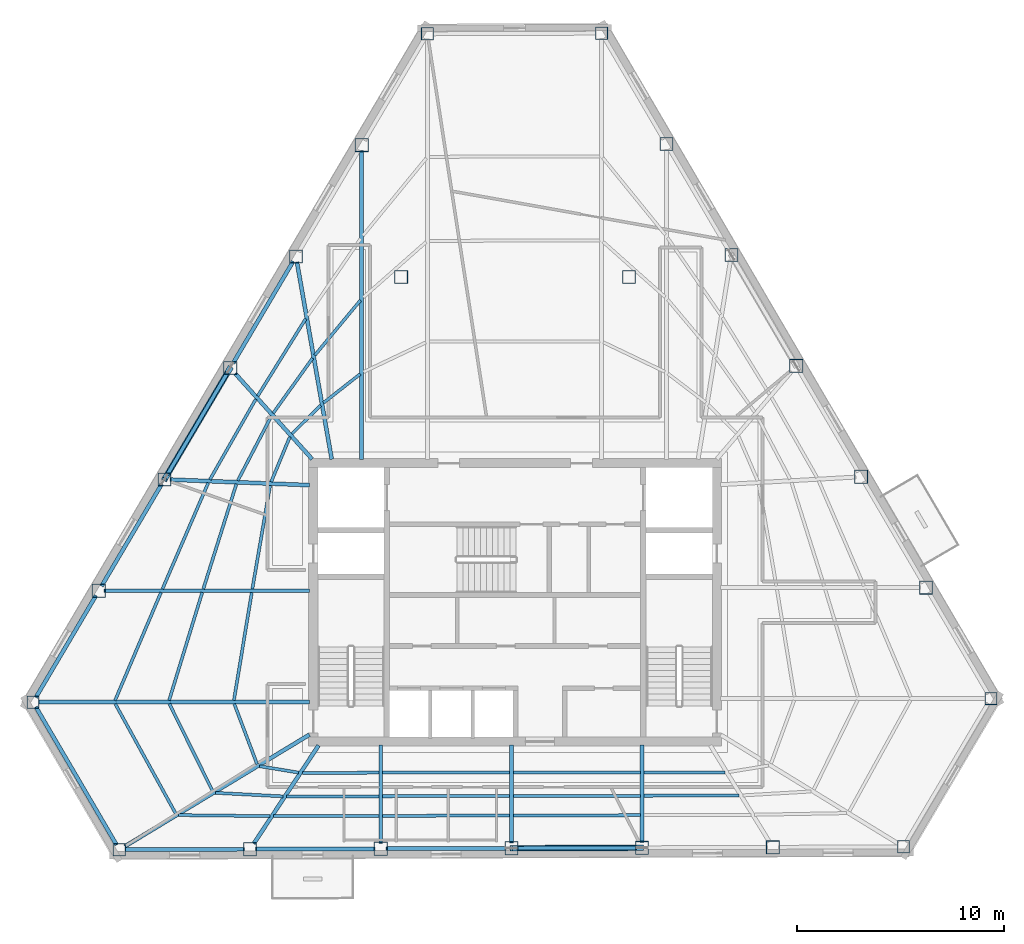
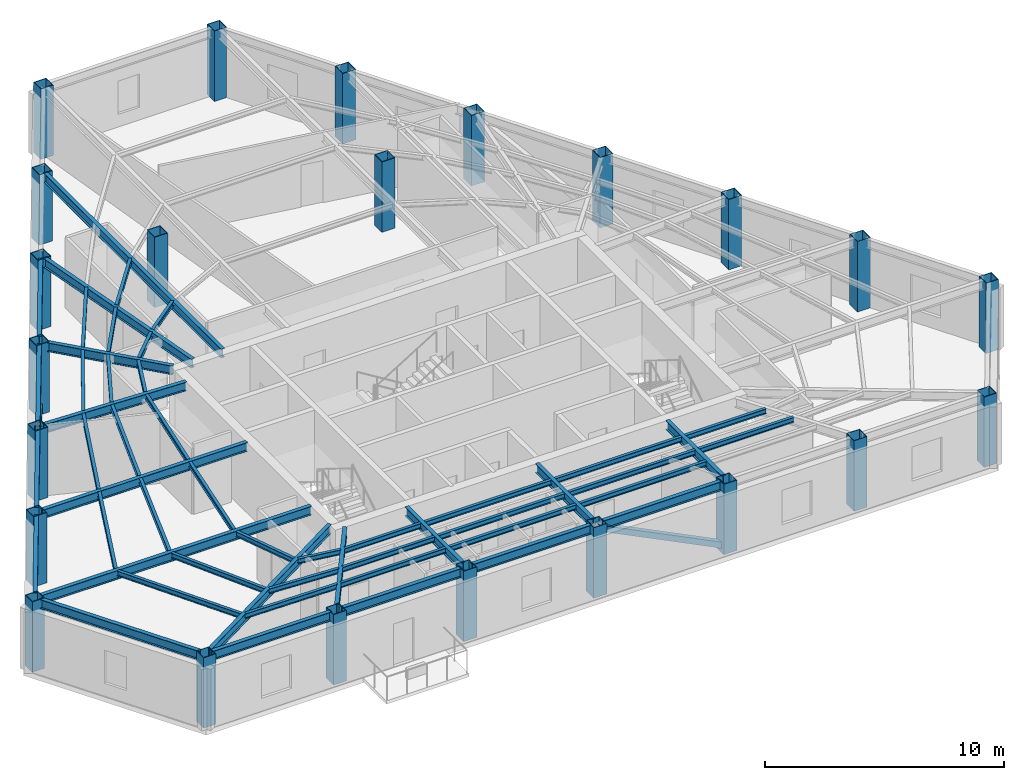
# One storey, part 1 of 9: 51 beams, 23 columns, 2 members.
"""IFC4 building model written with IfcOpenShell, lengths in metres."""

from ifc_helpers import new_model, si_unit, direction, frame, origin, origin_2d, place, context, subcontext, project, spatial, hollow_rectangle, i_section, extrude, material, material_profile, profile_set, type_object, element, save


model = new_model("IFC4")

# Units and contexts
model_context = context("Model", 3, precision=1e-05, world=origin(), true_north=direction((0.0, 1.0)))
body_context = subcontext(model_context, "Body", "Model", "MODEL_VIEW")
ifc_project = project(units=[si_unit("LENGTHUNIT", "METRE"), si_unit("AREAUNIT", "SQUARE_METRE"), si_unit("VOLUMEUNIT", "CUBIC_METRE"), si_unit("PLANEANGLEUNIT", "RADIAN"), si_unit("MASSUNIT", "GRAM", prefix="KILO")], contexts=[model_context])

# Site, building, storey
site_placement = place(None, origin())
site = spatial("IfcSite", under=ifc_project, at=site_placement, CompositionType="ELEMENT")
building_placement = place(site_placement, origin())
building = spatial("IfcBuilding", under=site, at=building_placement, Name="Kavelnor Concourse Tower", CompositionType="ELEMENT")
storey_placement = place(building_placement, frame((0.0, 0.0, 207.35009765625)))
storey = spatial("IfcBuildingStorey", under=building, at=storey_placement, Name="L52", CompositionType="ELEMENT", Elevation=207.35009765625)

# Columns
ifc_material = material(Name="Steel Grade 350", Category="steel")
ifc_material_profile_1 = material_profile(ifc_material, hollow_rectangle(XDim=0.60009765625, YDim=0.60009765625, WallThickness=0.028076171875, at=origin_2d()), Name="SHS 600x600x28")
ifc_profile_set_1 = profile_set([ifc_material_profile_1], Name="Steel Grade 350")
column_type_1 = type_object("IfcColumnType", Name="COL-FOLD-Z3", PredefinedType="COLUMN", material=ifc_profile_set_1)
for number, where, z_axis, x_axis, name in (
    (1, (33.769287109375, 43.535400390625, 0.0), (0.0, 0.0, 1.0), (1.0, 0.0, 0.0), "L52 Perimeter Corner-Fold Column F0-B0"),
    (2, (14.7333984375, 11.2783203125, 0.0), (0.0, 0.0, 1.0), (1.0, 0.0, 0.0), "L52 Perimeter Corner-Fold Column F0-B6"),
    (3, (18.900390625, 4.157958984375, 0.0), (0.0, 0.0, 1.0), (1.0, 0.0, 0.0), "L52 Perimeter Corner-Fold Column F1-B0"),
    (4, (56.744384765625, 4.295654296875, 0.0), (0.0, 0.0, 1.0), (1.0, 0.0, 0.0), "L52 Perimeter Corner-Fold Column F1-B6"),
    (5, (60.968017578125, 11.45263671875, 0.0), (0.0, 0.0, 1.0), (1.0, 0.0, 0.0), "L52 Perimeter Corner-Fold Column F2-B0"),
    (6, (42.17431640625, 43.56591796875, 0.0), (0.0, 0.0, 1.0), (1.0, 0.0, 0.0), "L52 Perimeter Corner-Fold Column F2-B6"),
):
    element("IfcColumn", number, at=place(storey_placement, frame(where, z_axis=z_axis, x_axis=x_axis)), inside=storey, type_object=column_type_1, Name=name, PredefinedType="COLUMN", context=body_context, shape_type="SweptSolid", body=[
        extrude(hollow_rectangle(XDim=0.60009765625, YDim=0.60009765625, WallThickness=0.028076171875, at=origin_2d()), origin(), (0.0, 0.0, 1.0), 3.599853515625),
    ])
ifc_material_profile_2 = material_profile(ifc_material, hollow_rectangle(XDim=0.639892578125, YDim=0.639892578125, WallThickness=0.028076171875, at=origin_2d()), Name="SHS 640x640x28")
ifc_profile_set_2 = profile_set([ifc_material_profile_2], Name="Steel Grade 350")
column_type_2 = type_object("IfcColumnType", Name="COL-TUBE-Z3", PredefinedType="COLUMN", material=ifc_profile_set_2)
for number, where, z_axis, x_axis, name in (
    (7, (30.5966796875, 38.1591796875, 0.0), (0.0, 0.0, 1.0), (1.0, 0.0, 0.0), "L52 Perimeter Framed-Tube Column F0-B1"),
    (8, (27.424072265625, 32.782958984375, 0.0), (0.0, 0.0, 1.0), (1.0, 0.0, 0.0), "L52 Perimeter Framed-Tube Column F0-B2"),
    (9, (24.251220703125, 27.40673828125, 0.0), (0.0, 0.0, 1.0), (1.0, 0.0, 0.0), "L52 Perimeter Framed-Tube Column F0-B3"),
    (10, (21.07861328125, 22.030517578125, 0.0), (0.0, 0.0, 1.0), (1.0, 0.0, 0.0), "L52 Perimeter Framed-Tube Column F0-B4"),
    (11, (17.906005859375, 16.654296875, 0.0), (0.0, 0.0, 1.0), (1.0, 0.0, 0.0), "L52 Perimeter Framed-Tube Column F0-B5"),
    (12, (25.207763671875, 4.180908203125, 0.0), (0.0, 0.0, 1.0), (1.0, 0.0, 0.0), "L52 Perimeter Framed-Tube Column F1-B1"),
    (13, (31.51513671875, 4.203857421875, 0.0), (0.0, 0.0, 1.0), (1.0, 0.0, 0.0), "L52 Perimeter Framed-Tube Column F1-B2"),
    (14, (37.822509765625, 4.226806640625, 0.0), (0.0, 0.0, 1.0), (1.0, 0.0, 0.0), "L52 Perimeter Framed-Tube Column F1-B3"),
    (15, (44.1298828125, 4.249755859375, 0.0), (0.0, 0.0, 1.0), (1.0, 0.0, 0.0), "L52 Perimeter Framed-Tube Column F1-B4"),
    (16, (50.437255859375, 4.272705078125, 0.0), (0.0, 0.0, 1.0), (1.0, 0.0, 0.0), "L52 Perimeter Framed-Tube Column F1-B5"),
    (17, (57.835693359375, 16.8046875, 0.0), (0.0, 0.0, 1.0), (1.0, 0.0, 0.0), "L52 Perimeter Framed-Tube Column F2-B1"),
    (18, (54.70361328125, 22.156982421875, 0.0), (0.0, 0.0, 1.0), (1.0, 0.0, 0.0), "L52 Perimeter Framed-Tube Column F2-B2"),
    (19, (51.5712890625, 27.50927734375, 0.0), (0.0, 0.0, 1.0), (1.0, 0.0, 0.0), "L52 Perimeter Framed-Tube Column F2-B3"),
    (20, (48.43896484375, 32.861572265625, 0.0), (0.0, 0.0, 1.0), (1.0, 0.0, 0.0), "L52 Perimeter Framed-Tube Column F2-B4"),
    (21, (45.306640625, 38.213623046875, 0.0), (0.0, 0.0, 1.0), (1.0, 0.0, 0.0), "L52 Perimeter Framed-Tube Column F2-B5"),
    (22, (32.5, 31.800048828125, 0.0), (0.0, 0.0, 1.0), (1.0, 0.0, 0.0), "L52 North Interior Gravity Column BC-NW"),
    (23, (43.5, 31.800048828125, 0.0), (0.0, 0.0, 1.0), (1.0, 0.0, 0.0), "L52 North Interior Gravity Column BC-NE"),
):
    element("IfcColumn", number, at=place(storey_placement, frame(where, z_axis=z_axis, x_axis=x_axis)), inside=storey, type_object=column_type_2, Name=name, PredefinedType="COLUMN", context=body_context, shape_type="SweptSolid", body=[
        extrude(hollow_rectangle(XDim=0.639892578125, YDim=0.639892578125, WallThickness=0.028076171875, at=origin_2d()), origin(), (0.0, 0.0, 1.0), 3.599853515625),
    ])

# Beams
ifc_material_profile_3 = material_profile(ifc_material, i_section(OverallWidth=0.14599609375, OverallDepth=0.256103515625, WebThickness=0.00634765625, FlangeThickness=0.010986328125, at=origin_2d()), Name="250UB37")
ifc_profile_set_3 = profile_set([ifc_material_profile_3], Name="Steel Grade 350")
beam_type_1 = type_object("IfcBeamType", Name="BM-JOIST-250", PredefinedType="JOIST", material=ifc_profile_set_3)
beam_1_placement = place(storey_placement, frame((24.447265625, 11.195068359375, 3.471923828125), z_axis=(0.353812359842, -0.935316424545, 0.0), x_axis=(0.935316424545, 0.353812359842, 0.0)))
element("IfcBeam", 24, at=beam_1_placement, inside=storey, type_object=beam_type_1, Name="L52 Secondary Composite Joist 01-1", PredefinedType="JOIST", context=body_context, shape_type="SweptSolid", body=[
    extrude(i_section(OverallWidth=0.14599609375, OverallDepth=0.256103515625, WebThickness=0.00634765625, FlangeThickness=0.010986328125, at=origin_2d()), origin(), (0.0, 0.0, 1.0), 3.11279296875),
])
beam_2_placement = place(storey_placement, frame((21.314453125, 11.198486328125, 3.471923828125), z_axis=(0.444136839635, -0.895958965399, 0.0), x_axis=(0.895958965399, 0.444136839635, 0.0)))
element("IfcBeam", 25, at=beam_2_placement, inside=storey, type_object=beam_type_1, Name="L52 Secondary Composite Joist 01-2", PredefinedType="JOIST", context=body_context, shape_type="SweptSolid", body=[
    extrude(i_section(OverallWidth=0.14599609375, OverallDepth=0.256103515625, WebThickness=0.00634765625, FlangeThickness=0.010986328125, at=origin_2d()), origin(), (0.0, 0.0, 1.0), 4.70166015625),
])
beam_3_placement = place(storey_placement, frame((18.70068359375, 11.2001953125, 3.471923828125), z_axis=(0.482594636446, -0.875843831327, 0.0), x_axis=(0.875843831327, 0.482594636446, 0.0)))
element("IfcBeam", 26, at=beam_3_placement, inside=storey, type_object=beam_type_1, Name="L52 Secondary Composite Joist 01-3", PredefinedType="JOIST", context=body_context, shape_type="SweptSolid", body=[
    extrude(i_section(OverallWidth=0.14599609375, OverallDepth=0.256103515625, WebThickness=0.00634765625, FlangeThickness=0.010986328125, at=origin_2d()), origin(), (0.0, 0.0, 1.0), 6.04443359375),
])
beam_4_placement = place(storey_placement, frame((25.667724609375, 8.18603515625, 3.471923828125), z_axis=(0.986975179291, -0.160872606316, 0.0), x_axis=(0.160872606316, 0.986975179291, 0.0)))
element("IfcBeam", 27, at=beam_4_placement, inside=storey, type_object=beam_type_1, Name="L52 Secondary Composite Joist 02-1", PredefinedType="JOIST", context=body_context, shape_type="SweptSolid", body=[
    extrude(i_section(OverallWidth=0.14599609375, OverallDepth=0.256103515625, WebThickness=0.00634765625, FlangeThickness=0.010986328125, at=origin_2d()), origin(), (0.0, 0.0, 1.0), 1.9091796875),
])
beam_5_placement = place(storey_placement, frame((23.531005859375, 6.90185546875, 3.471923828125), z_axis=(0.998623799288, -0.052445280958, 0.0), x_axis=(0.052445280958, 0.998623799288, 0.0)))
element("IfcBeam", 28, at=beam_5_placement, inside=storey, type_object=beam_type_1, Name="L52 Secondary Composite Joist 02-2", PredefinedType="JOIST", context=body_context, shape_type="SweptSolid", body=[
    extrude(i_section(OverallWidth=0.14599609375, OverallDepth=0.256103515625, WebThickness=0.00634765625, FlangeThickness=0.010986328125, at=origin_2d()), origin(), (0.0, 0.0, 1.0), 3.2724609375),
])
beam_6_placement = place(storey_placement, frame((21.74951171875, 5.827392578125, 3.471923828125), z_axis=(0.999935973562, -0.011315863902, 0.0), x_axis=(0.011315863902, 0.999935973562, 0.0)))
element("IfcBeam", 29, at=beam_6_placement, inside=storey, type_object=beam_type_1, Name="L52 Secondary Composite Joist 02-3", PredefinedType="JOIST", context=body_context, shape_type="SweptSolid", body=[
    extrude(i_section(OverallWidth=0.14599609375, OverallDepth=0.256103515625, WebThickness=0.00634765625, FlangeThickness=0.010986328125, at=origin_2d()), origin(), (0.0, 0.0, 1.0), 4.4228515625),
])
beam_7_placement = place(storey_placement, frame((27.72900390625, 7.86474609375, 3.471923828125), z_axis=(0.999997015371, 0.002443204541, 0.0), x_axis=(-0.002443204541, 0.999997015371, 0.0)))
element("IfcBeam", 30, at=beam_7_placement, inside=storey, type_object=beam_type_1, Name="L52 Secondary Composite Joist 03-1", PredefinedType="JOIST", context=body_context, shape_type="SweptSolid", body=[
    extrude(i_section(OverallWidth=0.14599609375, OverallDepth=0.256103515625, WebThickness=0.00634765625, FlangeThickness=0.010986328125, at=origin_2d()), origin(), (0.0, 0.0, 1.0), 3.697265625),
])
beam_8_placement = place(storey_placement, frame((26.976806640625, 6.725830078125, 3.471923828125), z_axis=(0.999996814713, 0.002523997447, 0.0), x_axis=(-0.002523997447, 0.999996814713, 0.0)))
element("IfcBeam", 31, at=beam_8_placement, inside=storey, type_object=beam_type_1, Name="L52 Secondary Composite Joist 03-2", PredefinedType="JOIST", context=body_context, shape_type="SweptSolid", body=[
    extrude(i_section(OverallWidth=0.14599609375, OverallDepth=0.256103515625, WebThickness=0.00634765625, FlangeThickness=0.010986328125, at=origin_2d()), origin(), (0.0, 0.0, 1.0), 4.449462890625),
])
beam_9_placement = place(storey_placement, frame((26.35009765625, 5.776611328125, 3.471923828125), z_axis=(0.999996627416, 0.002597143992, 0.0), x_axis=(-0.002597143992, 0.999996627416, 0.0)))
element("IfcBeam", 32, at=beam_9_placement, inside=storey, type_object=beam_type_1, Name="L52 Secondary Composite Joist 03-3", PredefinedType="JOIST", context=body_context, shape_type="SweptSolid", body=[
    extrude(i_section(OverallWidth=0.14599609375, OverallDepth=0.256103515625, WebThickness=0.00634765625, FlangeThickness=0.010986328125, at=origin_2d()), origin(), (0.0, 0.0, 1.0), 5.076171875),
])
for number, where, z_axis, x_axis, name in (
    (33, (31.604248046875, 7.8740234375, 3.471923828125), (0.999999504174, 0.000995817072, 0.0), (-0.000995817072, 0.999999504174, 0.0), "L52 Secondary Composite Joist 04-1"),
    (34, (31.604248046875, 6.7373046875, 3.471923828125), (0.999998172191, 0.001911966232, 0.0), (-0.001911966232, 0.999998172191, 0.0), "L52 Secondary Composite Joist 04-2"),
    (35, (31.604248046875, 5.790283203125, 3.471923828125), (0.999996544307, 0.00262894929, 0.0), (-0.00262894929, 0.999996544307, 0.0), "L52 Secondary Composite Joist 04-3"),
    (36, (37.91162109375, 7.88037109375, 3.471923828125), (0.999999463715, 0.001035649713, 0.0), (-0.001035649713, 0.999999463715, 0.0), "L52 Secondary Composite Joist 05-1"),
    (37, (37.91162109375, 6.74951171875, 3.471923828125), (0.999998247556, 0.001872133744, 0.0), (-0.001872133744, 0.999998247556, 0.0), "L52 Secondary Composite Joist 05-2"),
    (38, (37.91162109375, 5.806884765625, 3.471923828125), (0.999996648231, 0.002589116994, 0.0), (-0.002589116994, 0.999996648231, 0.0), "L52 Secondary Composite Joist 05-3"),
):
    element("IfcBeam", number, at=place(storey_placement, frame(where, z_axis=z_axis, x_axis=x_axis)), inside=storey, type_object=beam_type_1, Name=name, PredefinedType="JOIST", context=body_context, shape_type="SweptSolid", body=[
        extrude(i_section(OverallWidth=0.14599609375, OverallDepth=0.256103515625, WebThickness=0.00634765625, FlangeThickness=0.010986328125, at=origin_2d()), origin(), (0.0, 0.0, 1.0), 6.129150390625),
    ])
beam_10_placement = place(storey_placement, frame((44.21875, 7.88671875, 3.471923828125), z_axis=(0.999999561808, 0.000936153868, 0.0), x_axis=(-0.000936153868, 0.999999561808, 0.0)))
element("IfcBeam", 39, at=beam_10_placement, inside=storey, type_object=beam_type_1, Name="L52 Secondary Composite Joist 06-1", PredefinedType="JOIST", context=body_context, shape_type="SweptSolid", body=[
    extrude(i_section(OverallWidth=0.14599609375, OverallDepth=0.256103515625, WebThickness=0.00634765625, FlangeThickness=0.010986328125, at=origin_2d()), origin(), (0.0, 0.0, 1.0), 3.911865234375),
])
beam_11_placement = place(storey_placement, frame((44.21875, 6.76123046875, 3.471923828125), z_axis=(0.999996613496, 0.002602498091, 0.0), x_axis=(-0.002602498091, 0.999996613496, 0.0)))
element("IfcBeam", 40, at=beam_11_placement, inside=storey, type_object=beam_type_1, Name="L52 Secondary Composite Joist 06-2", PredefinedType="JOIST", context=body_context, shape_type="SweptSolid", body=[
    extrude(i_section(OverallWidth=0.14599609375, OverallDepth=0.256103515625, WebThickness=0.00634765625, FlangeThickness=0.010986328125, at=origin_2d()), origin(), (0.0, 0.0, 1.0), 4.5966796875),
])
beam_12_placement = place(storey_placement, frame((30.526611328125, 27.11669921875, 3.471923828125), z_axis=(-0.78650957483, -0.61757808308, 0.0), x_axis=(0.61757808308, -0.78650957483, 0.0)))
element("IfcBeam", 41, at=beam_12_placement, inside=storey, type_object=beam_type_1, Name="L52 Secondary Composite Joist 17-1", PredefinedType="JOIST", context=body_context, shape_type="SweptSolid", body=[
    extrude(i_section(OverallWidth=0.14599609375, OverallDepth=0.256103515625, WebThickness=0.00634765625, FlangeThickness=0.010986328125, at=origin_2d()), origin(), (0.0, 0.0, 1.0), 2.2587890625),
])
beam_13_placement = place(storey_placement, frame((30.539794921875, 30.678955078125, 3.471923828125), z_axis=(-0.638633019137, -0.769511446872, 0.0), x_axis=(0.769511446872, -0.638633019137, 0.0)))
element("IfcBeam", 42, at=beam_13_placement, inside=storey, type_object=beam_type_1, Name="L52 Secondary Composite Joist 17-2", PredefinedType="JOIST", context=body_context, shape_type="SweptSolid", body=[
    extrude(i_section(OverallWidth=0.14599609375, OverallDepth=0.256103515625, WebThickness=0.00634765625, FlangeThickness=0.010986328125, at=origin_2d()), origin(), (0.0, 0.0, 1.0), 3.454833984375),
])
beam_14_placement = place(storey_placement, frame((28.61669921875, 25.60400390625, 3.471923828125), z_axis=(-0.71059429698, -0.703601979175, 0.0), x_axis=(0.703601979175, -0.71059429698, 0.0)))
element("IfcBeam", 43, at=beam_14_placement, inside=storey, type_object=beam_type_1, Name="L52 Secondary Composite Joist 18-1", PredefinedType="JOIST", context=body_context, shape_type="SweptSolid", body=[
    extrude(i_section(OverallWidth=0.14599609375, OverallDepth=0.256103515625, WebThickness=0.00634765625, FlangeThickness=0.010986328125, at=origin_2d()), origin(), (0.0, 0.0, 1.0), 1.955322265625),
])
beam_15_placement = place(storey_placement, frame((28.224853515625, 27.87939453125, 3.471923828125), z_axis=(-0.582307060316, -0.812968933912, 0.0), x_axis=(0.812968933912, -0.582307060316, 0.0)))
element("IfcBeam", 44, at=beam_15_placement, inside=storey, type_object=beam_type_1, Name="L52 Secondary Composite Joist 18-2", PredefinedType="JOIST", context=body_context, shape_type="SweptSolid", body=[
    extrude(i_section(OverallWidth=0.14599609375, OverallDepth=0.256103515625, WebThickness=0.00634765625, FlangeThickness=0.010986328125, at=origin_2d()), origin(), (0.0, 0.0, 1.0), 3.260986328125),
])
beam_16_placement = place(storey_placement, frame((27.8935546875, 29.780517578125, 3.471923828125), z_axis=(-0.527789735374, -0.84937506158, 0.0), x_axis=(0.84937506158, -0.527789735374, 0.0)))
element("IfcBeam", 45, at=beam_16_placement, inside=storey, type_object=beam_type_1, Name="L52 Secondary Composite Joist 18-3", PredefinedType="JOIST", context=body_context, shape_type="SweptSolid", body=[
    extrude(i_section(OverallWidth=0.14599609375, OverallDepth=0.256103515625, WebThickness=0.00634765625, FlangeThickness=0.010986328125, at=origin_2d()), origin(), (0.0, 0.0, 1.0), 4.38427734375),
])
beam_17_placement = place(storey_placement, frame((27.1298828125, 24.08349609375, 3.471923828125), z_axis=(-0.383658026846, -0.923475239753, 0.0), x_axis=(0.923475239753, -0.383658026846, 0.0)))
element("IfcBeam", 46, at=beam_17_placement, inside=storey, type_object=beam_type_1, Name="L52 Secondary Composite Joist 19-1", PredefinedType="JOIST", context=body_context, shape_type="SweptSolid", body=[
    extrude(i_section(OverallWidth=0.14599609375, OverallDepth=0.256103515625, WebThickness=0.00634765625, FlangeThickness=0.010986328125, at=origin_2d()), origin(), (0.0, 0.0, 1.0), 2.3544921875),
])
beam_18_placement = place(storey_placement, frame((26.233154296875, 25.076904296875, 3.471923828125), z_axis=(-0.46184646192, -0.886959889517, 0.0), x_axis=(0.886959889517, -0.46184646192, 0.0)))
element("IfcBeam", 47, at=beam_18_placement, inside=storey, type_object=beam_type_1, Name="L52 Secondary Composite Joist 19-2", PredefinedType="JOIST", context=body_context, shape_type="SweptSolid", body=[
    extrude(i_section(OverallWidth=0.14599609375, OverallDepth=0.256103515625, WebThickness=0.00634765625, FlangeThickness=0.010986328125, at=origin_2d()), origin(), (0.0, 0.0, 1.0), 3.502685546875),
])
beam_19_placement = place(storey_placement, frame((25.48828125, 25.90380859375, 3.471923828125), z_axis=(-0.496091887624, -0.868270026567, 0.0), x_axis=(0.868270026567, -0.496091887624, 0.0)))
element("IfcBeam", 48, at=beam_19_placement, inside=storey, type_object=beam_type_1, Name="L52 Secondary Composite Joist 19-3", PredefinedType="JOIST", context=body_context, shape_type="SweptSolid", body=[
    extrude(i_section(OverallWidth=0.14599609375, OverallDepth=0.256103515625, WebThickness=0.00634765625, FlangeThickness=0.010986328125, at=origin_2d()), origin(), (0.0, 0.0, 1.0), 4.470458984375),
])
beam_20_placement = place(storey_placement, frame((26.177490234375, 21.7392578125, 3.471923828125), z_axis=(-0.1693005983, -0.985564461319, 0.0), x_axis=(0.985564461319, -0.1693005983, 0.0)))
element("IfcBeam", 49, at=beam_20_placement, inside=storey, type_object=beam_type_1, Name="L52 Secondary Composite Joist 20-1", PredefinedType="JOIST", context=body_context, shape_type="SweptSolid", body=[
    extrude(i_section(OverallWidth=0.14599609375, OverallDepth=0.256103515625, WebThickness=0.00634765625, FlangeThickness=0.010986328125, at=origin_2d()), origin(), (0.0, 0.0, 1.0), 5.0703125),
])
beam_21_placement = place(storey_placement, frame((24.5478515625, 21.806396484375, 3.471923828125), z_axis=(-0.300495695239, -0.953783170927, 0.0), x_axis=(0.953783170927, -0.300495695239, 0.0)))
element("IfcBeam", 50, at=beam_21_placement, inside=storey, type_object=beam_type_1, Name="L52 Secondary Composite Joist 20-2", PredefinedType="JOIST", context=body_context, shape_type="SweptSolid", body=[
    extrude(i_section(OverallWidth=0.14599609375, OverallDepth=0.256103515625, WebThickness=0.00634765625, FlangeThickness=0.010986328125, at=origin_2d()), origin(), (0.0, 0.0, 1.0), 5.312744140625),
])
beam_22_placement = place(storey_placement, frame((23.19091796875, 21.86328125, 3.471923828125), z_axis=(-0.396376559648, -0.918088025715, 0.0), x_axis=(0.918088025715, -0.396376559648, 0.0)))
element("IfcBeam", 51, at=beam_22_placement, inside=storey, type_object=beam_type_1, Name="L52 Secondary Composite Joist 20-3", PredefinedType="JOIST", context=body_context, shape_type="SweptSolid", body=[
    extrude(i_section(OverallWidth=0.14599609375, OverallDepth=0.256103515625, WebThickness=0.00634765625, FlangeThickness=0.010986328125, at=origin_2d()), origin(), (0.0, 0.0, 1.0), 5.584716796875),
])
beam_23_placement = place(storey_placement, frame((25.28955078125, 16.566650390625, 3.471923828125), z_axis=(-0.162986799861, -0.986628249682, 0.0), x_axis=(0.986628249682, -0.162986799861, 0.0)))
element("IfcBeam", 52, at=beam_23_placement, inside=storey, type_object=beam_type_1, Name="L52 Secondary Composite Joist 21-1", PredefinedType="JOIST", context=body_context, shape_type="SweptSolid", body=[
    extrude(i_section(OverallWidth=0.14599609375, OverallDepth=0.256103515625, WebThickness=0.00634765625, FlangeThickness=0.010986328125, at=origin_2d()), origin(), (0.0, 0.0, 1.0), 5.271240234375),
])
beam_24_placement = place(storey_placement, frame((22.898681640625, 16.5693359375, 3.471923828125), z_axis=(-0.293380090013, -0.955995880108, 0.0), x_axis=(0.955995880108, -0.293380090013, 0.0)))
element("IfcBeam", 53, at=beam_24_placement, inside=storey, type_object=beam_type_1, Name="L52 Secondary Composite Joist 21-2", PredefinedType="JOIST", context=body_context, shape_type="SweptSolid", body=[
    extrude(i_section(OverallWidth=0.14599609375, OverallDepth=0.256103515625, WebThickness=0.00634765625, FlangeThickness=0.010986328125, at=origin_2d()), origin(), (0.0, 0.0, 1.0), 5.44580078125),
])
beam_25_placement = place(storey_placement, frame((20.9072265625, 16.572509765625, 3.471923828125), z_axis=(-0.391076741732, -0.92035807275, 0.0), x_axis=(0.92035807275, -0.391076741732, 0.0)))
element("IfcBeam", 54, at=beam_25_placement, inside=storey, type_object=beam_type_1, Name="L52 Secondary Composite Joist 21-3", PredefinedType="JOIST", context=body_context, shape_type="SweptSolid", body=[
    extrude(i_section(OverallWidth=0.14599609375, OverallDepth=0.256103515625, WebThickness=0.00634765625, FlangeThickness=0.010986328125, at=origin_2d()), origin(), (0.0, 0.0, 1.0), 5.663330078125),
])
ifc_material_profile_4 = material_profile(ifc_material, i_section(OverallWidth=0.18994140625, OverallDepth=0.4541015625, WebThickness=0.008544921875, FlangeThickness=0.0126953125, at=origin_2d()), Name="460UB67")
ifc_profile_set_4 = profile_set([ifc_material_profile_4], Name="Steel Grade 350")
beam_type_2 = type_object("IfcBeamType", Name="BM-PRIMARY-460", PredefinedType="BEAM", material=ifc_profile_set_4)
beam_26_placement = place(storey_placement, frame((30.5966796875, 23.0, 3.372802734375), z_axis=(0.0, 1.0, 0.0), x_axis=(-1.0, 0.0, 0.0)))
element("IfcBeam", 55, at=beam_26_placement, inside=storey, type_object=beam_type_2, Name="L52 Primary Floor Girder F0-B1", PredefinedType="BEAM", context=body_context, shape_type="SweptSolid", body=[
    extrude(i_section(OverallWidth=0.18994140625, OverallDepth=0.4541015625, WebThickness=0.008544921875, FlangeThickness=0.0126953125, at=origin_2d()), origin(), (0.0, 0.0, 1.0), 14.899169921875),
])
beam_27_placement = place(storey_placement, frame((29.150390625, 23.00048828125, 3.372802734375), z_axis=(-0.173796857461, 0.984781525181, 0.0), x_axis=(-0.984781525181, -0.173796857461, 0.0)))
element("IfcBeam", 56, at=beam_27_placement, inside=storey, type_object=beam_type_2, Name="L52 Primary Floor Girder F0-B2", PredefinedType="BEAM", context=body_context, shape_type="SweptSolid", body=[
    extrude(i_section(OverallWidth=0.18994140625, OverallDepth=0.4541015625, WebThickness=0.008544921875, FlangeThickness=0.0126953125, at=origin_2d()), origin(), (0.0, 0.0, 1.0), 9.6689453125),
])
beam_28_placement = place(storey_placement, frame((28.202392578125, 23.01025390625, 3.372802734375), z_axis=(-0.668432091806, 0.743773176879, 0.0), x_axis=(-0.743773176879, -0.668432091806, 0.0)))
element("IfcBeam", 57, at=beam_28_placement, inside=storey, type_object=beam_type_2, Name="L52 Primary Floor Girder F0-B3", PredefinedType="BEAM", context=body_context, shape_type="SweptSolid", body=[
    extrude(i_section(OverallWidth=0.18994140625, OverallDepth=0.4541015625, WebThickness=0.008544921875, FlangeThickness=0.0126953125, at=origin_2d()), origin(), (0.0, 0.0, 1.0), 5.547607421875),
])
beam_29_placement = place(storey_placement, frame((28.080078125, 21.751708984375, 3.372802734375), z_axis=(-0.999207477378, 0.039804737809, 0.0), x_axis=(-0.039804737809, -0.999207477378, 0.0)))
element("IfcBeam", 58, at=beam_29_placement, inside=storey, type_object=beam_type_2, Name="L52 Primary Floor Girder F0-B4", PredefinedType="BEAM", context=body_context, shape_type="SweptSolid", body=[
    extrude(i_section(OverallWidth=0.18994140625, OverallDepth=0.4541015625, WebThickness=0.008544921875, FlangeThickness=0.0126953125, at=origin_2d()), origin(), (0.0, 0.0, 1.0), 6.746826171875),
])
beam_30_placement = place(storey_placement, frame((28.080078125, 16.654296875, 3.372802734375), z_axis=(-1.0, 0.0, 0.0), x_axis=(0.0, -1.0, 0.0)))
element("IfcBeam", 59, at=beam_30_placement, inside=storey, type_object=beam_type_2, Name="L52 Primary Floor Girder F0-B5", PredefinedType="BEAM", context=body_context, shape_type="SweptSolid", body=[
    extrude(i_section(OverallWidth=0.18994140625, OverallDepth=0.4541015625, WebThickness=0.008544921875, FlangeThickness=0.0126953125, at=origin_2d()), origin(), (0.0, 0.0, 1.0), 9.9140625),
])
beam_31_placement = place(storey_placement, frame((28.080078125, 11.2783203125, 3.372802734375), z_axis=(-1.0, 0.0, 0.0), x_axis=(0.0, -1.0, 0.0)))
element("IfcBeam", 60, at=beam_31_placement, inside=storey, type_object=beam_type_2, Name="L52 Primary Floor Girder F0-B6", PredefinedType="BEAM", context=body_context, shape_type="SweptSolid", body=[
    extrude(i_section(OverallWidth=0.18994140625, OverallDepth=0.4541015625, WebThickness=0.008544921875, FlangeThickness=0.0126953125, at=origin_2d()), origin(), (0.0, 0.0, 1.0), 13.086669921875),
])
beam_32_placement = place(storey_placement, frame((28.07421875, 9.709716796875, 3.372802734375), z_axis=(-0.855533697766, -0.517747131317, 0.0), x_axis=(0.517747131317, -0.855533697766, 0.0)))
element("IfcBeam", 61, at=beam_32_placement, inside=storey, type_object=beam_type_2, Name="L52 Primary Floor Girder F1-B0", PredefinedType="BEAM", context=body_context, shape_type="SweptSolid", body=[
    extrude(i_section(OverallWidth=0.18994140625, OverallDepth=0.4541015625, WebThickness=0.008544921875, FlangeThickness=0.0126953125, at=origin_2d()), origin(), (0.0, 0.0, 1.0), 10.412109375),
])
beam_33_placement = place(storey_placement, frame((28.517333984375, 9.193359375, 3.372802734375), z_axis=(-0.550999490905, -0.834505578785, 0.0), x_axis=(0.834505578785, -0.550999490905, 0.0)))
element("IfcBeam", 62, at=beam_33_placement, inside=storey, type_object=beam_type_2, Name="L52 Primary Floor Girder F1-B1", PredefinedType="BEAM", context=body_context, shape_type="SweptSolid", body=[
    extrude(i_section(OverallWidth=0.18994140625, OverallDepth=0.4541015625, WebThickness=0.008544921875, FlangeThickness=0.0126953125, at=origin_2d()), origin(), (0.0, 0.0, 1.0), 5.68701171875),
])
beam_34_placement = place(storey_placement, frame((31.51513671875, 9.199951171875, 3.372802734375), z_axis=(0.0, -1.0, 0.0), x_axis=(1.0, 0.0, 0.0)))
element("IfcBeam", 63, at=beam_34_placement, inside=storey, type_object=beam_type_2, Name="L52 Primary Floor Girder F1-B2", PredefinedType="BEAM", context=body_context, shape_type="SweptSolid", body=[
    extrude(i_section(OverallWidth=0.18994140625, OverallDepth=0.4541015625, WebThickness=0.008544921875, FlangeThickness=0.0126953125, at=origin_2d()), origin(), (0.0, 0.0, 1.0), 4.736083984375),
])
beam_35_placement = place(storey_placement, frame((37.822509765625, 9.199951171875, 3.372802734375), z_axis=(0.0, -1.0, 0.0), x_axis=(1.0, 0.0, 0.0)))
element("IfcBeam", 64, at=beam_35_placement, inside=storey, type_object=beam_type_2, Name="L52 Primary Floor Girder F1-B3", PredefinedType="BEAM", context=body_context, shape_type="SweptSolid", body=[
    extrude(i_section(OverallWidth=0.18994140625, OverallDepth=0.4541015625, WebThickness=0.008544921875, FlangeThickness=0.0126953125, at=origin_2d()), origin(), (0.0, 0.0, 1.0), 4.713134765625),
])
beam_36_placement = place(storey_placement, frame((44.1298828125, 9.199951171875, 3.372802734375), z_axis=(0.0, -1.0, 0.0), x_axis=(1.0, 0.0, 0.0)))
element("IfcBeam", 65, at=beam_36_placement, inside=storey, type_object=beam_type_2, Name="L52 Primary Floor Girder F1-B4", PredefinedType="BEAM", context=body_context, shape_type="SweptSolid", body=[
    extrude(i_section(OverallWidth=0.18994140625, OverallDepth=0.4541015625, WebThickness=0.008544921875, FlangeThickness=0.0126953125, at=origin_2d()), origin(), (0.0, 0.0, 1.0), 4.690185546875),
])
ifc_material_profile_5 = material_profile(ifc_material, i_section(OverallWidth=0.19091796875, OverallDepth=0.4599609375, WebThickness=0.010009765625, FlangeThickness=0.01611328125, at=origin_2d()), Name="460UB82")
ifc_profile_set_5 = profile_set([ifc_material_profile_5], Name="Steel Grade 350")
beam_type_3 = type_object("IfcBeamType", Name="BM-SPANDREL-Z3", PredefinedType="SPANDREL", material=ifc_profile_set_5)
for number, where, z_axis, x_axis, name in (
    (66, (27.289306640625, 32.5546875, 3.369873046875), (-0.508241113184, -0.861214822718, 0.0), (0.861214822718, -0.508241113184, 0.0), "L52 Perimeter Tube Spandrel Beam F0-B2"),
    (67, (24.11669921875, 27.178466796875, 3.369873046875), (-0.508241113184, -0.861214822718, 0.0), (0.861214822718, -0.508241113184, 0.0), "L52 Perimeter Tube Spandrel Beam F0-B3"),
):
    element("IfcBeam", number, at=place(storey_placement, frame(where, z_axis=z_axis, x_axis=x_axis)), inside=storey, type_object=beam_type_3, Name=name, PredefinedType="SPANDREL", context=body_context, shape_type="SweptSolid", body=[
        extrude(i_section(OverallWidth=0.19091796875, OverallDepth=0.4599609375, WebThickness=0.010009765625, FlangeThickness=0.01611328125, at=origin_2d()), origin(), (0.0, 0.0, 1.0), 5.71240234375),
    ])
for number, where, z_axis, x_axis, name in (
    (68, (20.944091796875, 21.802490234375, 3.369873046875), (-0.508222407095, -0.861225861738, 0.0), (0.861225861738, -0.508222407095, 0.0), "L52 Perimeter Tube Spandrel Beam F0-B4"),
    (69, (17.771484375, 16.42626953125, 3.369873046875), (-0.508222407095, -0.861225861738, 0.0), (0.861225861738, -0.508222407095, 0.0), "L52 Perimeter Tube Spandrel Beam F0-B5"),
):
    element("IfcBeam", number, at=place(storey_placement, frame(where, z_axis=z_axis, x_axis=x_axis)), inside=storey, type_object=beam_type_3, Name=name, PredefinedType="SPANDREL", context=body_context, shape_type="SweptSolid", body=[
        extrude(i_section(OverallWidth=0.19091796875, OverallDepth=0.4599609375, WebThickness=0.010009765625, FlangeThickness=0.01611328125, at=origin_2d()), origin(), (0.0, 0.0, 1.0), 5.712646484375),
    ])
for number, where, z_axis, x_axis, name in (
    (70, (19.16552734375, 4.158935546875, 3.369873046875), (0.999993396316, 0.003634188306, 0.0), (-0.003634188306, 0.999993396316, 0.0), "L52 Perimeter Tube Spandrel Beam F1-B0"),
    (71, (25.472900390625, 4.181884765625, 3.369873046875), (0.999993396316, 0.003634188306, 0.0), (-0.003634188306, 0.999993396316, 0.0), "L52 Perimeter Tube Spandrel Beam F1-B1"),
    (72, (31.7802734375, 4.204833984375, 3.369873046875), (0.999993396316, 0.003634188306, 0.0), (-0.003634188306, 0.999993396316, 0.0), "L52 Perimeter Tube Spandrel Beam F1-B2"),
    (73, (38.08740234375, 4.227783203125, 3.369873046875), (0.999993396316, 0.003634188306, 0.0), (-0.003634188306, 0.999993396316, 0.0), "L52 Perimeter Tube Spandrel Beam F1-B3"),
):
    element("IfcBeam", number, at=place(storey_placement, frame(where, z_axis=z_axis, x_axis=x_axis)), inside=storey, type_object=beam_type_3, Name=name, PredefinedType="SPANDREL", context=body_context, shape_type="SweptSolid", body=[
        extrude(i_section(OverallWidth=0.19091796875, OverallDepth=0.4599609375, WebThickness=0.010009765625, FlangeThickness=0.01611328125, at=origin_2d()), origin(), (0.0, 0.0, 1.0), 5.77734375),
    ])
beam_37_placement = place(storey_placement, frame((14.867431640625, 11.049560546875, 3.369873046875), z_axis=(0.50507981197, -0.863072640941, 0.0), x_axis=(0.863072640941, 0.50507981197, 0.0)))
element("IfcBeam", 74, at=beam_37_placement, inside=storey, type_object=beam_type_3, Name="L52 Chamfer Facet Spandrel Beam C1", PredefinedType="SPANDREL", context=body_context, shape_type="SweptSolid", body=[
    extrude(i_section(OverallWidth=0.19091796875, OverallDepth=0.4599609375, WebThickness=0.010009765625, FlangeThickness=0.01611328125, at=origin_2d()), origin(), (0.0, 0.0, 1.0), 7.719970703125),
])

# Members
ifc_material_profile_6 = material_profile(ifc_material, hollow_rectangle(XDim=0.280029296875, YDim=0.280029296875, WallThickness=0.01611328125, at=origin_2d()), Name="SHS 280x280x16")
ifc_profile_set_6 = profile_set([ifc_material_profile_6], Name="Steel Grade 350")
member_type = type_object("IfcMemberType", Name="MBR-TUBE-DIAG-Z3", PredefinedType="BRACE", material=ifc_profile_set_6)
member_1_placement = place(storey_placement, frame((24.251220703125, 27.40673828125, 0.219970703125), z_axis=(-0.453734244031, -0.768886632382, 0.450487050134), x_axis=(0.861224580781, -0.508224577778, 0.0)))
element("IfcMember", 75, at=member_1_placement, inside=storey, type_object=member_type, Name="L52 Framed-Tube Bracing Diagonal F0-B3", PredefinedType="BRACE", context=body_context, shape_type="SweptSolid", body=[
    extrude(hollow_rectangle(XDim=0.280029296875, YDim=0.280029296875, WallThickness=0.01611328125, at=origin_2d()), origin(), (0.0, 0.0, 1.0), 6.9921875),
])
member_2_placement = place(storey_placement, frame((44.1298828125, 4.249755859375, 0.219970703125), z_axis=(-0.894637048381, -0.003255114478, 0.44678177659), x_axis=(0.003638450853, -0.999993380816, 0.0)))
element("IfcMember", 76, at=member_2_placement, inside=storey, type_object=member_type, Name="L52 Framed-Tube Bracing Diagonal F1-B3", PredefinedType="BRACE", context=body_context, shape_type="SweptSolid", body=[
    extrude(hollow_rectangle(XDim=0.280029296875, YDim=0.280029296875, WallThickness=0.01611328125, at=origin_2d()), origin(), (0.0, 0.0, 1.0), 7.05029296875),
])

save(model, "model.ifc")
